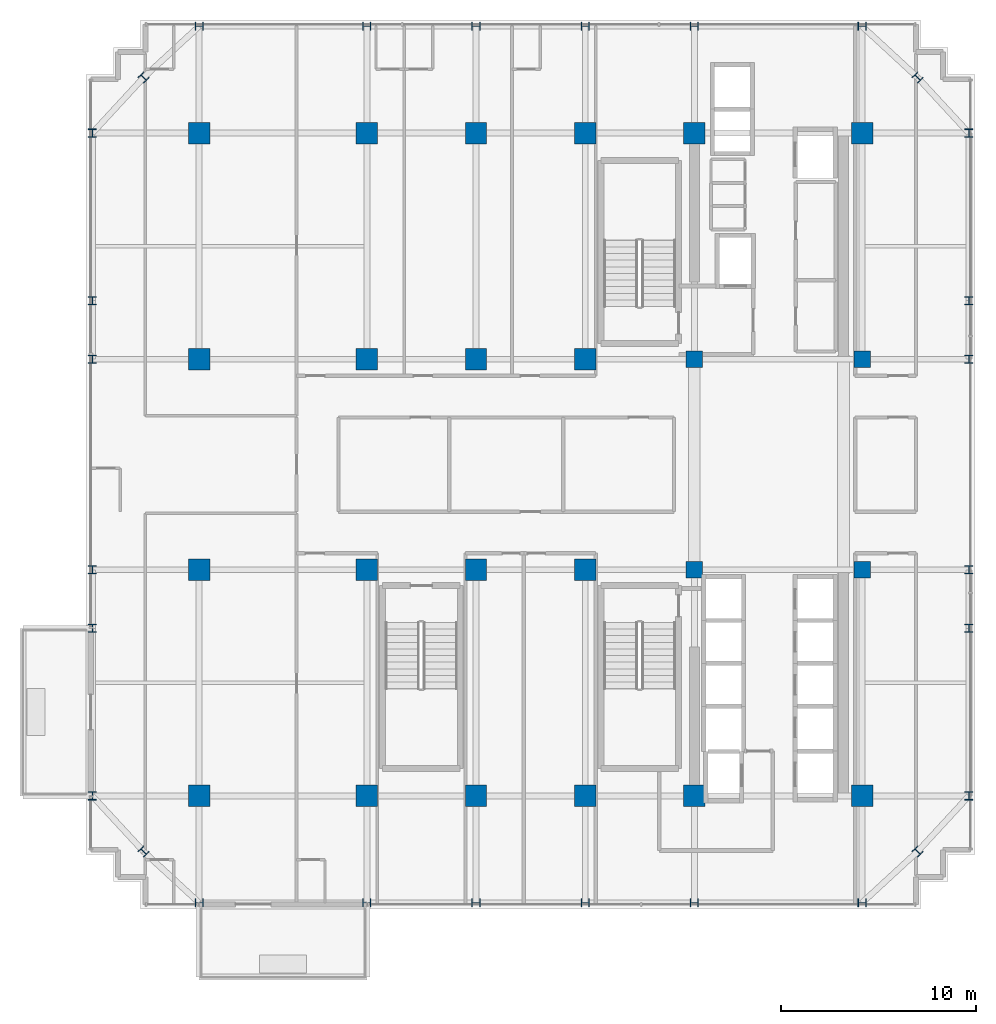
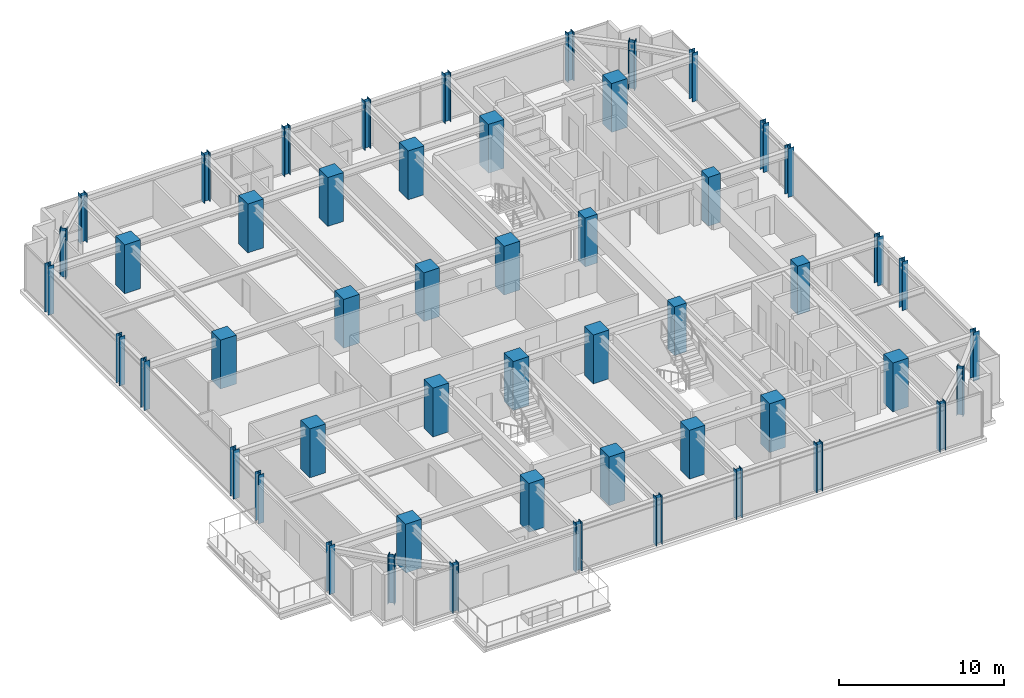
# One storey, part 1 of 31: 52 columns.
"""IFC4 building model written with IfcOpenShell, lengths in metres."""

from ifc_helpers import new_model, si_unit, direction, frame, origin, origin_2d, place, context, subcontext, project, spatial, rectangle, i_section, extrude, source, transform, mapped, material, material_profile, profile_set, type_object, element, save


model = new_model("IFC4")

# Units and contexts
model_context = context("Model", 3, precision=1e-05, world=origin(), true_north=direction((0.0, 1.0)))
body_context = subcontext(model_context, "Body", "Model", "MODEL_VIEW")
ifc_project = project(units=[si_unit("LENGTHUNIT", "METRE"), si_unit("AREAUNIT", "SQUARE_METRE"), si_unit("VOLUMEUNIT", "CUBIC_METRE"), si_unit("PLANEANGLEUNIT", "RADIAN"), si_unit("MASSUNIT", "GRAM", prefix="KILO")], contexts=[model_context])

# Site, building, storey
site_placement = place(None, origin())
site = spatial("IfcSite", under=ifc_project, at=site_placement, CompositionType="ELEMENT")
building_placement = place(site_placement, origin())
building = spatial("IfcBuilding", under=site, at=building_placement, Name="Nahalor Promenade Grand Hotel", CompositionType="ELEMENT")
storey_placement = place(building_placement, frame((0.0, 0.0, 156.300048828125)))
storey = spatial("IfcBuildingStorey", under=building, at=storey_placement, Name="L39", CompositionType="ELEMENT", Elevation=156.300048828125)

# Columns
ifc_material_1 = material(Name="Concrete B-70 (C60/75)", Category="concrete")
ifc_material_profile_1 = material_profile(ifc_material_1, rectangle(XDim=0.85, YDim=0.85, at=origin_2d()), Name="RC 850x850")
ifc_profile_set_1 = profile_set([ifc_material_profile_1], Name="Concrete B-70 (C60/75)")
column_type_1 = type_object("IfcColumnType", Name="Col-Pilaster-850", PredefinedType="PILASTER", material=ifc_profile_set_1)
shared_shape_1 = source(origin(), body_context, "Body", "SweptSolid", [
    extrude(rectangle(XDim=0.85, YDim=0.85, at=origin_2d()), origin(), (0.0, 0.0, 1.0), 3.60498046875),
])
for number, where, z_axis, x_axis, name in (
    (1, (8.39990234375, -5.39990234375, 0.0), (0.0, 0.0, 1.0), (1.0, 0.0, 0.0), "COL-L39-I41"),
    (2, (8.39990234375, 5.39990234375, 0.0), (0.0, 0.0, 1.0), (1.0, 0.0, 0.0), "COL-L39-I42"),
    (3, (17.0, -5.39990234375, 0.0), (0.0, 0.0, 1.0), (1.0, 0.0, 0.0), "COL-L39-I51"),
    (4, (17.0, 5.39990234375, 0.0), (0.0, 0.0, 1.0), (1.0, 0.0, 0.0), "COL-L39-I52"),
):
    element("IfcColumn", number, at=place(storey_placement, frame(where, z_axis=z_axis, x_axis=x_axis)), inside=storey, type_object=column_type_1, Name=name, PredefinedType="PILASTER", context=body_context, shape_type="MappedRepresentation", body=[
        mapped(shared_shape_1, transform((0.0, 0.0, 0.0), scale=1.0)),
    ])
ifc_material_2 = material(Name="Concrete B-60 (C50/60)", Category="concrete")
ifc_material_profile_2 = material_profile(ifc_material_2, rectangle(XDim=1.1, YDim=1.1, at=origin_2d()), Name="RC 1100x1100")
ifc_profile_set_2 = profile_set([ifc_material_profile_2], Name="Concrete B-60 (C50/60)")
column_type_2 = type_object("IfcColumnType", Name="Col-RC-1100", PredefinedType="COLUMN", material=ifc_profile_set_2)
shared_shape_2 = source(origin(), body_context, "Body", "SweptSolid", [
    extrude(rectangle(XDim=1.1, YDim=1.1, at=origin_2d()), origin(), (0.0, 0.0, 1.0), 3.60498046875),
])
for number, where, z_axis, x_axis, name in (
    (5, (-17.0, -17.0, 0.0), (0.0, 0.0, 1.0), (1.0, 0.0, 0.0), "COL-L39-I00"),
    (6, (-17.0, -5.39990234375, 0.0), (0.0, 0.0, 1.0), (1.0, 0.0, 0.0), "COL-L39-I01"),
    (7, (-17.0, 5.39990234375, 0.0), (0.0, 0.0, 1.0), (1.0, 0.0, 0.0), "COL-L39-I02"),
    (8, (-17.0, 17.0, 0.0), (0.0, 0.0, 1.0), (1.0, 0.0, 0.0), "COL-L39-I03"),
    (9, (-8.39990234375, -17.0, 0.0), (0.0, 0.0, 1.0), (1.0, 0.0, 0.0), "COL-L39-I10"),
    (10, (-8.39990234375, -5.39990234375, 0.0), (0.0, 0.0, 1.0), (1.0, 0.0, 0.0), "COL-L39-I11"),
    (11, (-8.39990234375, 5.39990234375, 0.0), (0.0, 0.0, 1.0), (1.0, 0.0, 0.0), "COL-L39-I12"),
    (12, (-8.39990234375, 17.0, 0.0), (0.0, 0.0, 1.0), (1.0, 0.0, 0.0), "COL-L39-I13"),
    (13, (-2.800048828125, -17.0, 0.0), (0.0, 0.0, 1.0), (1.0, 0.0, 0.0), "COL-L39-I20"),
    (14, (-2.800048828125, -5.39990234375, 0.0), (0.0, 0.0, 1.0), (1.0, 0.0, 0.0), "COL-L39-I21"),
    (15, (-2.800048828125, 5.39990234375, 0.0), (0.0, 0.0, 1.0), (1.0, 0.0, 0.0), "COL-L39-I22"),
    (16, (-2.800048828125, 17.0, 0.0), (0.0, 0.0, 1.0), (1.0, 0.0, 0.0), "COL-L39-I23"),
    (17, (2.800048828125, -17.0, 0.0), (0.0, 0.0, 1.0), (1.0, 0.0, 0.0), "COL-L39-I30"),
    (18, (2.800048828125, -5.39990234375, 0.0), (0.0, 0.0, 1.0), (1.0, 0.0, 0.0), "COL-L39-I31"),
    (19, (2.800048828125, 5.39990234375, 0.0), (0.0, 0.0, 1.0), (1.0, 0.0, 0.0), "COL-L39-I32"),
    (20, (2.800048828125, 17.0, 0.0), (0.0, 0.0, 1.0), (1.0, 0.0, 0.0), "COL-L39-I33"),
    (21, (8.39990234375, -17.0, 0.0), (0.0, 0.0, 1.0), (1.0, 0.0, 0.0), "COL-L39-I40"),
    (22, (8.39990234375, 17.0, 0.0), (0.0, 0.0, 1.0), (1.0, 0.0, 0.0), "COL-L39-I43"),
    (23, (17.0, -17.0, 0.0), (0.0, 0.0, 1.0), (1.0, 0.0, 0.0), "COL-L39-I50"),
    (24, (17.0, 17.0, 0.0), (0.0, 0.0, 1.0), (1.0, 0.0, 0.0), "COL-L39-I53"),
):
    element("IfcColumn", number, at=place(storey_placement, frame(where, z_axis=z_axis, x_axis=x_axis)), inside=storey, type_object=column_type_2, Name=name, PredefinedType="COLUMN", context=body_context, shape_type="MappedRepresentation", body=[
        mapped(shared_shape_2, transform((0.0, 0.0, 0.0), scale=1.0)),
    ])
ifc_material_3 = material(Name="Steel S355J2", Category="steel")
ifc_material_profile_3 = material_profile(ifc_material_3, i_section(OverallWidth=0.406, OverallDepth=0.422, WebThickness=0.019, FlangeThickness=0.0305, at=origin_2d()), Name="HD 400x382")
ifc_profile_set_3 = profile_set([ifc_material_profile_3], Name="Steel S355J2")
column_type_3 = type_object("IfcColumnType", Name="Col-Steel-HD382", PredefinedType="COLUMN", material=ifc_profile_set_3)
shared_shape_3 = source(origin(), body_context, "Body", "SweptSolid", [
    extrude(i_section(OverallWidth=0.406, OverallDepth=0.422, WebThickness=0.019, FlangeThickness=0.0305, at=origin_2d()), origin(), (0.0, 0.0, 1.0), 3.60498046875),
])
for number, where, z_axis, x_axis, name in (
    (25, (-22.47998046875, -17.0, 0.0), (0.0, 0.0, 1.0), (1.0, 0.0, 0.0), "COL-L39-PW-W0"),
    (26, (22.47998046875, -17.0, 0.0), (0.0, 0.0, 1.0), (1.0, 0.0, 0.0), "COL-L39-PW-E0"),
    (27, (-22.47998046875, -8.39990234375, 0.0), (0.0, 0.0, 1.0), (1.0, 0.0, 0.0), "COL-L39-PW-W1"),
    (28, (22.47998046875, -8.39990234375, 0.0), (0.0, 0.0, 1.0), (1.0, 0.0, 0.0), "COL-L39-PW-E1"),
    (29, (-22.47998046875, -5.39990234375, 0.0), (0.0, 0.0, 1.0), (1.0, 0.0, 0.0), "COL-L39-PW-W2"),
    (30, (22.47998046875, -5.39990234375, 0.0), (0.0, 0.0, 1.0), (1.0, 0.0, 0.0), "COL-L39-PW-E2"),
    (31, (-22.47998046875, 5.39990234375, 0.0), (0.0, 0.0, 1.0), (1.0, 0.0, 0.0), "COL-L39-PW-W3"),
    (32, (22.47998046875, 5.39990234375, 0.0), (0.0, 0.0, 1.0), (1.0, 0.0, 0.0), "COL-L39-PW-E3"),
    (33, (-22.47998046875, 8.39990234375, 0.0), (0.0, 0.0, 1.0), (1.0, 0.0, 0.0), "COL-L39-PW-W4"),
    (34, (22.47998046875, 8.39990234375, 0.0), (0.0, 0.0, 1.0), (1.0, 0.0, 0.0), "COL-L39-PW-E4"),
    (35, (-22.47998046875, 17.0, 0.0), (0.0, 0.0, 1.0), (1.0, 0.0, 0.0), "COL-L39-PW-W5"),
    (36, (22.47998046875, 17.0, 0.0), (0.0, 0.0, 1.0), (1.0, 0.0, 0.0), "COL-L39-PW-E5"),
    (37, (-17.0, -22.47998046875, 0.0), (0.0, 0.0, 1.0), (0.0, 1.0, 0.0), "COL-L39-PN-S0"),
    (38, (-17.0, 22.47998046875, 0.0), (0.0, 0.0, 1.0), (0.0, 1.0, 0.0), "COL-L39-PN-N0"),
    (39, (-8.39990234375, -22.47998046875, 0.0), (0.0, 0.0, 1.0), (0.0, 1.0, 0.0), "COL-L39-PN-S1"),
    (40, (-8.39990234375, 22.47998046875, 0.0), (0.0, 0.0, 1.0), (0.0, 1.0, 0.0), "COL-L39-PN-N1"),
    (41, (-2.800048828125, -22.47998046875, 0.0), (0.0, 0.0, 1.0), (0.0, 1.0, 0.0), "COL-L39-PN-S2"),
    (42, (-2.800048828125, 22.47998046875, 0.0), (0.0, 0.0, 1.0), (0.0, 1.0, 0.0), "COL-L39-PN-N2"),
    (43, (2.800048828125, -22.47998046875, 0.0), (0.0, 0.0, 1.0), (0.0, 1.0, 0.0), "COL-L39-PN-S3"),
    (44, (2.800048828125, 22.47998046875, 0.0), (0.0, 0.0, 1.0), (0.0, 1.0, 0.0), "COL-L39-PN-N3"),
    (45, (8.39990234375, -22.47998046875, 0.0), (0.0, 0.0, 1.0), (0.0, 1.0, 0.0), "COL-L39-PN-S4"),
    (46, (8.39990234375, 22.47998046875, 0.0), (0.0, 0.0, 1.0), (0.0, 1.0, 0.0), "COL-L39-PN-N4"),
    (47, (17.0, -22.47998046875, 0.0), (0.0, 0.0, 1.0), (0.0, 1.0, 0.0), "COL-L39-PN-S5"),
    (48, (17.0, 22.47998046875, 0.0), (0.0, 0.0, 1.0), (0.0, 1.0, 0.0), "COL-L39-PN-N5"),
    (49, (-19.85009765625, -19.85009765625, 0.0), (0.0, 0.0, 1.0), (0.707106781187, 0.707106781187, 0.0), "COL-L39-CRN-SW"),
    (50, (-19.85009765625, 19.85009765625, 0.0), (0.0, 0.0, 1.0), (0.707106781187, 0.707106781187, 0.0), "COL-L39-CRN-NW"),
    (51, (19.85009765625, -19.85009765625, 0.0), (0.0, 0.0, 1.0), (0.707106781187, 0.707106781187, 0.0), "COL-L39-CRN-SE"),
    (52, (19.85009765625, 19.85009765625, 0.0), (0.0, 0.0, 1.0), (0.707106781187, 0.707106781187, 0.0), "COL-L39-CRN-NE"),
):
    element("IfcColumn", number, at=place(storey_placement, frame(where, z_axis=z_axis, x_axis=x_axis)), inside=storey, type_object=column_type_3, Name=name, PredefinedType="COLUMN", context=body_context, shape_type="MappedRepresentation", body=[
        mapped(shared_shape_3, transform((0.0, 0.0, 0.0), scale=1.0)),
    ])

save(model, "model.ifc")
